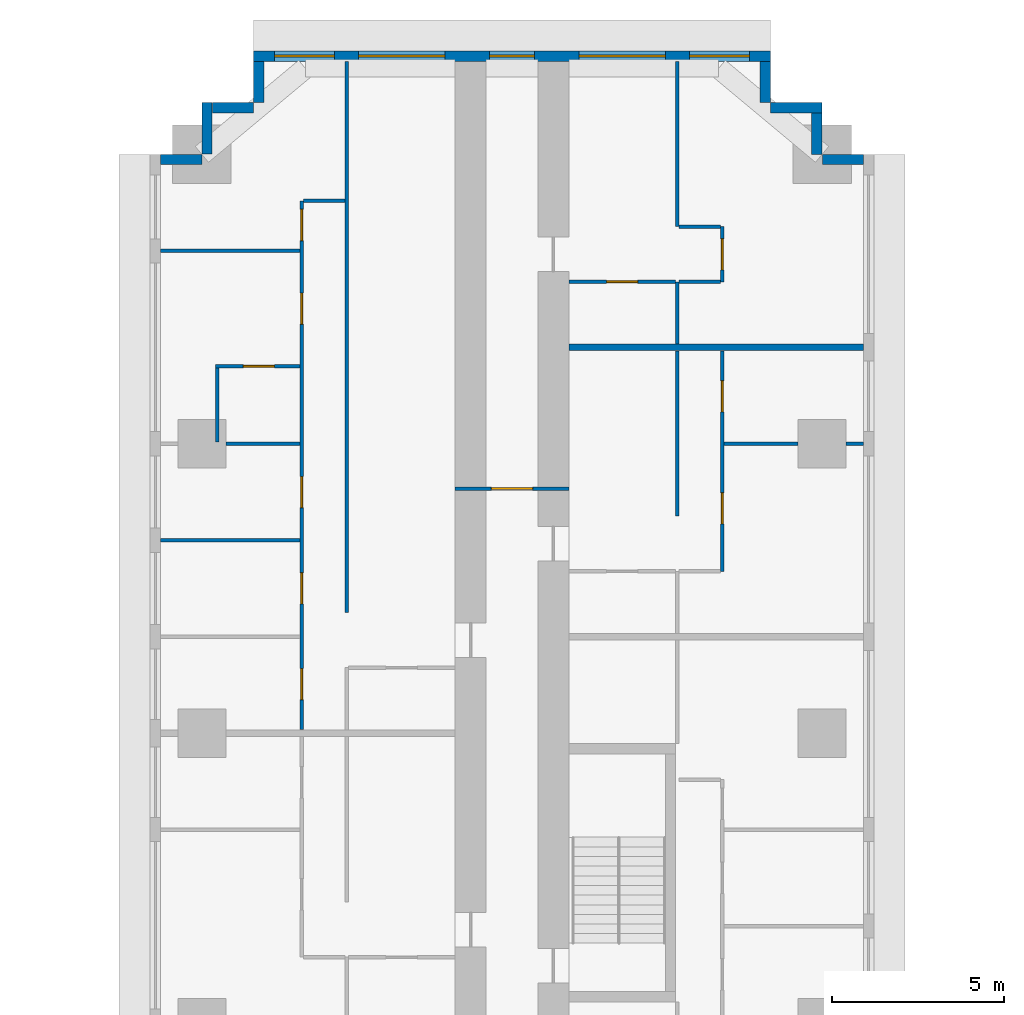
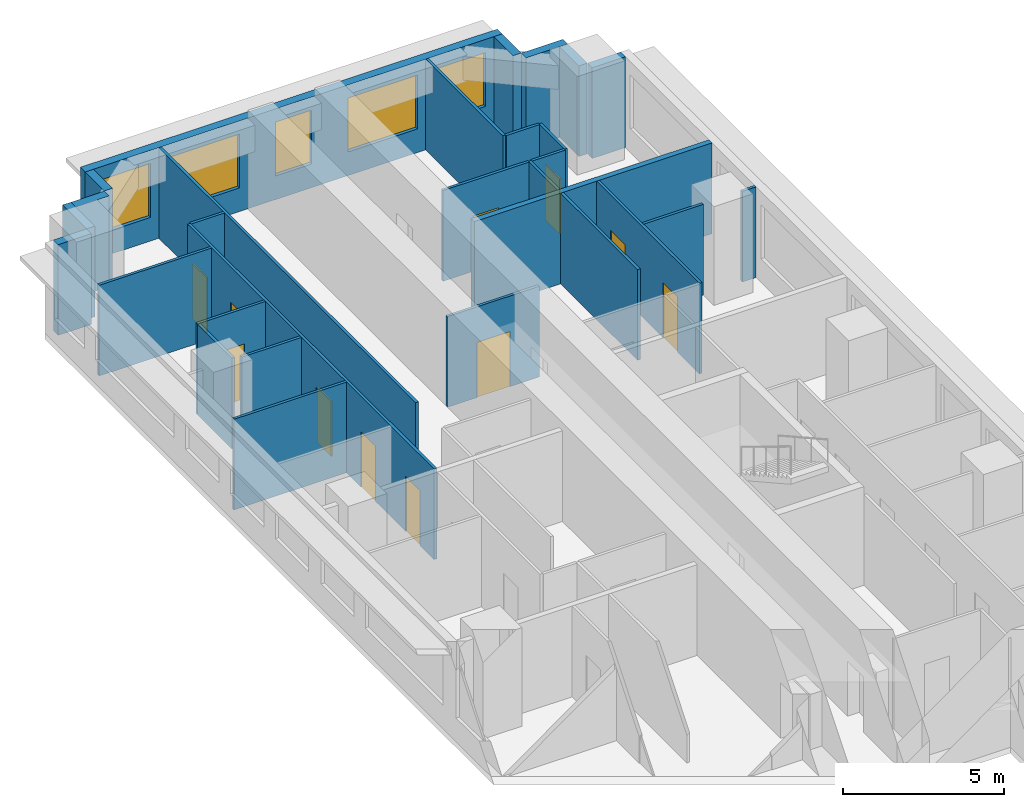
# One storey, part 12 of 14: 29 walls, 11 doors, 5 windows, 16 openings.
"""IFC4 building model written with IfcOpenShell, lengths in metres."""

from ifc_helpers import new_model, si_unit, direction, frame, frame_2d, origin, place, context, subcontext, project, spatial, rectangle, extrude, material, layer, layer_set, type_object, element, fill, save


model = new_model("IFC4")

# Units and contexts
model_context = context("Model", 3, precision=1e-05, world=origin(), true_north=direction((0.0, 1.0)))
body_context = subcontext(model_context, "Body", "Model", "MODEL_VIEW")
ifc_project = project(units=[si_unit("LENGTHUNIT", "METRE"), si_unit("AREAUNIT", "SQUARE_METRE"), si_unit("VOLUMEUNIT", "CUBIC_METRE"), si_unit("PLANEANGLEUNIT", "RADIAN"), si_unit("MASSUNIT", "GRAM", prefix="KILO")], contexts=[model_context])

# Site, building, storey
site_placement = place(None, origin())
site = spatial("IfcSite", under=ifc_project, at=site_placement, CompositionType="ELEMENT")
building_placement = place(site_placement, origin())
building = spatial("IfcBuilding", under=site, at=building_placement, Name="Impinga Residences", CompositionType="ELEMENT")
storey_placement = place(building_placement, frame((0.0, 0.0, 89.75)))
storey = spatial("IfcBuildingStorey", under=building, at=storey_placement, Name="L22", CompositionType="ELEMENT", Elevation=89.75)

# Wall, opening, door
ifc_material_1 = material(Name="Concrete blockwork", Category="masonry")
ifc_layer_1 = layer(ifc_material_1, 0.10009765625)
ifc_layer_set_1 = layer_set([ifc_layer_1], Name="CP1 core room partition, blockwork 100")
wall_type_1 = type_object("IfcWallType", Name="CP1 core room partition, blockwork 100", PredefinedType="PARTITIONING", material=ifc_layer_set_1)
wall_1_placement = place(storey_placement, frame((-1.64990234375, 35.33203125, 0.0), z_axis=(0.0, 0.0, 1.0), x_axis=(1.0, 0.0, 0.0)))
wall_1 = element("IfcWall", 1, at=wall_1_placement, inside=storey, type_object=wall_type_1, Name="Core room partition, blockwork L22:N:SCR", PredefinedType="PARTITIONING", context=body_context, shape_type="SweptSolid", body=[
    extrude(rectangle(XDim=3.2998046875, YDim=0.10009765625, at=frame_2d((1.64990234375, 0.0))), origin(), (0.0, 0.0, 1.0), 3.449951171875),
])
opening_1_placement = place(wall_1_placement, frame((1.050048828125, 0.0, 0.0)))
opening_1 = element("IfcOpeningElement", 2, at=opening_1_placement, cuts=wall_1, Name="Opening D3", PredefinedType="OPENING", context=body_context, shape_type="SweptSolid", body=[
    extrude(rectangle(XDim=1.199951171875, YDim=2.10009765625, at=frame_2d((0.60009765625, 1.050048828125))), frame((0.0, 0.06005859375, 0.0), z_axis=(0.0, -1.0, 0.0), x_axis=(1.0, 0.0, 0.0)), (0.0, 0.0, 1.0), 0.1201171875),
])
ifc_material_2 = material(Name="Timber door set", Category="wood")
door_type_1 = type_object("IfcDoorType", Name="D3 room door, leaf and a half 1200x2100", OperationType="DOUBLE_SWING_LEFT", PredefinedType="DOOR", material=ifc_material_2)
door_1_placement = place(opening_1_placement, origin())
door_1 = element("IfcDoor", 3, at=door_1_placement, inside=storey, type_object=door_type_1, Name="Corridor smoke door N", OperationType="DOUBLE_SWING_LEFT", OverallHeight=2.10009765625, OverallWidth=1.199951171875, PredefinedType="DOOR", context=body_context, shape_type="SweptSolid", body=[
    extrude(rectangle(XDim=1.199951171875, YDim=2.10009765625, at=frame_2d((0.60009765625, 1.050048828125))), frame((0.0, 0.02490234375, 0.0), z_axis=(0.0, -1.0, 0.0), x_axis=(1.0, 0.0, 0.0)), (0.0, 0.0, 1.0), 0.050048828125),
])
fill(opening_1, door_1)

# Walls
ifc_material_3 = material(Name="Terracotta rainscreen on blockwork", Category="masonry")
ifc_layer_2 = layer(ifc_material_3, 0.300048828125)
ifc_layer_set_2 = layer_set([ifc_layer_2], Name="EW1 external wall, terracotta rainscreen on blockwork 300")
wall_type_2 = type_object("IfcWallType", Name="EW1 external wall, terracotta rainscreen on blockwork 300", PredefinedType="SOLIDWALL", material=ifc_layer_set_2)
wall_2_placement = place(storey_placement, frame((-10.199951171875, 44.881591796875, 0.0), z_axis=(0.0, 0.0, 1.0), x_axis=(1.0, 0.0, 0.0)))
element("IfcWall", 4, at=wall_2_placement, inside=storey, type_object=wall_type_2, Name="External wall EW1 L22", PredefinedType="SOLIDWALL", context=body_context, shape_type="SweptSolid", body=[
    extrude(rectangle(XDim=1.199951171875, YDim=0.300048828125, at=frame_2d((0.60009765625, 0.0))), origin(), (0.0, 0.0, 1.0), 3.449951171875),
])
wall_3_placement = place(storey_placement, frame((-8.85009765625, 45.03662109375, 0.0), z_axis=(0.0, 0.0, 1.0), x_axis=(0.0, 1.0, 0.0)))
element("IfcWall", 5, at=wall_3_placement, inside=storey, type_object=wall_type_2, Name="External wall EW1 L22", PredefinedType="SOLIDWALL", context=body_context, shape_type="SweptSolid", body=[
    extrude(rectangle(XDim=1.494873046875, YDim=0.300048828125, at=frame_2d((0.74755859375, 0.0))), origin(), (0.0, 0.0, 1.0), 3.449951171875),
])
wall_4_placement = place(storey_placement, frame((-8.699951171875, 46.381591796875, 0.0), z_axis=(0.0, 0.0, 1.0), x_axis=(1.0, 0.0, 0.0)))
element("IfcWall", 6, at=wall_4_placement, inside=storey, type_object=wall_type_2, Name="External wall EW1 L22", PredefinedType="SOLIDWALL", context=body_context, shape_type="SweptSolid", body=[
    extrude(rectangle(XDim=1.199951171875, YDim=0.300048828125, at=frame_2d((0.60009765625, 0.0))), origin(), (0.0, 0.0, 1.0), 3.449951171875),
])
wall_5_placement = place(storey_placement, frame((-7.35009765625, 46.53662109375, 0.0), z_axis=(0.0, 0.0, 1.0), x_axis=(0.0, 1.0, 0.0)))
element("IfcWall", 7, at=wall_5_placement, inside=storey, type_object=wall_type_2, Name="External wall EW1 L22", PredefinedType="SOLIDWALL", context=body_context, shape_type="SweptSolid", body=[
    extrude(rectangle(XDim=1.19482421875, YDim=0.300048828125, at=frame_2d((0.597412109375, 0.0))), origin(), (0.0, 0.0, 1.0), 3.449951171875),
])

# Wall, openings, windows
wall_6_placement = place(storey_placement, frame((-7.5, 47.881591796875, 0.0), z_axis=(0.0, 0.0, 1.0), x_axis=(1.0, 0.0, 0.0)))
wall_6 = element("IfcWall", 8, at=wall_6_placement, inside=storey, type_object=wall_type_2, Name="External wall EW1 L22", PredefinedType="SOLIDWALL", context=body_context, shape_type="SweptSolid", body=[
    extrude(rectangle(XDim=15.0, YDim=0.300048828125, at=frame_2d((7.5, 0.0))), origin(), (0.0, 0.0, 1.0), 3.449951171875),
])
opening_2_placement = place(wall_6_placement, frame((0.60009765625, 0.0, 0.89990234375)))
opening_2 = element("IfcOpeningElement", 9, at=opening_2_placement, cuts=wall_6, Name="Opening W1", PredefinedType="OPENING", context=body_context, shape_type="SweptSolid", body=[
    extrude(rectangle(XDim=1.75, YDim=2.050048828125, at=frame_2d((0.875, 1.02490234375))), frame((0.0, 0.159912109375, 0.0), z_axis=(0.0, -1.0, 0.0), x_axis=(1.0, 0.0, 0.0)), (0.0, 0.0, 1.0), 0.320068359375),
])
opening_3_placement = place(wall_6_placement, frame((3.050048828125, 0.0, 0.89990234375)))
opening_3 = element("IfcOpeningElement", 10, at=opening_3_placement, cuts=wall_6, Name="Opening W2", PredefinedType="OPENING", context=body_context, shape_type="SweptSolid", body=[
    extrude(rectangle(XDim=2.5, YDim=2.050048828125, at=frame_2d((1.25, 1.02490234375))), frame((0.0, 0.159912109375, 0.0), z_axis=(0.0, -1.0, 0.0), x_axis=(1.0, 0.0, 0.0)), (0.0, 0.0, 1.0), 0.320068359375),
])
opening_4_placement = place(wall_6_placement, frame((6.85009765625, 0.0, 0.89990234375)))
opening_4 = element("IfcOpeningElement", 11, at=opening_4_placement, cuts=wall_6, Name="Opening WE1", PredefinedType="OPENING", context=body_context, shape_type="SweptSolid", body=[
    extrude(rectangle(XDim=1.300048828125, YDim=2.050048828125, at=frame_2d((0.64990234375, 1.02490234375))), frame((0.0, 0.159912109375, 0.0), z_axis=(0.0, -1.0, 0.0), x_axis=(1.0, 0.0, 0.0)), (0.0, 0.0, 1.0), 0.320068359375),
])
opening_5_placement = place(wall_6_placement, frame((9.449951171875, 0.0, 0.89990234375)))
opening_5 = element("IfcOpeningElement", 12, at=opening_5_placement, cuts=wall_6, Name="Opening W2", PredefinedType="OPENING", context=body_context, shape_type="SweptSolid", body=[
    extrude(rectangle(XDim=2.5, YDim=2.050048828125, at=frame_2d((1.25, 1.02490234375))), frame((0.0, 0.159912109375, 0.0), z_axis=(0.0, -1.0, 0.0), x_axis=(1.0, 0.0, 0.0)), (0.0, 0.0, 1.0), 0.320068359375),
])
opening_6_placement = place(wall_6_placement, frame((12.64990234375, 0.0, 0.89990234375)))
opening_6 = element("IfcOpeningElement", 13, at=opening_6_placement, cuts=wall_6, Name="Opening W1", PredefinedType="OPENING", context=body_context, shape_type="SweptSolid", body=[
    extrude(rectangle(XDim=1.75, YDim=2.050048828125, at=frame_2d((0.875, 1.02490234375))), frame((0.0, 0.159912109375, 0.0), z_axis=(0.0, -1.0, 0.0), x_axis=(1.0, 0.0, 0.0)), (0.0, 0.0, 1.0), 0.320068359375),
])
ifc_material_4 = material(Name="Aluminium window, clear double glazing", Category="aluminium")
window_type_1 = type_object("IfcWindowType", Name="W1 ribbon window 1750x2050", PartitioningType="SINGLE_PANEL", PredefinedType="WINDOW", material=ifc_material_4)
window_1_placement = place(opening_2_placement, origin())
window_1 = element("IfcWindow", 14, at=window_1_placement, inside=storey, type_object=window_type_1, Name="Window L22", OverallHeight=2.050048828125, OverallWidth=1.75, PartitioningType="SINGLE_PANEL", PredefinedType="WINDOW", context=body_context, shape_type="SweptSolid", body=[
    extrude(rectangle(XDim=1.75, YDim=2.050048828125, at=frame_2d((0.875, 1.02490234375))), frame((0.0, 0.030029296875, 0.0), z_axis=(0.0, -1.0, 0.0), x_axis=(1.0, 0.0, 0.0)), (0.0, 0.0, 1.0), 0.06005859375),
])
fill(opening_2, window_1)
window_2_placement = place(opening_6_placement, origin())
window_2 = element("IfcWindow", 15, at=window_2_placement, inside=storey, type_object=window_type_1, Name="Window L22", OverallHeight=2.050048828125, OverallWidth=1.75, PartitioningType="SINGLE_PANEL", PredefinedType="WINDOW", context=body_context, shape_type="SweptSolid", body=[
    extrude(rectangle(XDim=1.75, YDim=2.050048828125, at=frame_2d((0.875, 1.02490234375))), frame((0.0, 0.030029296875, 0.0), z_axis=(0.0, -1.0, 0.0), x_axis=(1.0, 0.0, 0.0)), (0.0, 0.0, 1.0), 0.06005859375),
])
fill(opening_6, window_2)
window_type_2 = type_object("IfcWindowType", Name="W2 ribbon window 2500x2050", PartitioningType="SINGLE_PANEL", PredefinedType="WINDOW", material=ifc_material_4)
window_3_placement = place(opening_3_placement, origin())
window_3 = element("IfcWindow", 16, at=window_3_placement, inside=storey, type_object=window_type_2, Name="Window L22", OverallHeight=2.050048828125, OverallWidth=2.5, PartitioningType="SINGLE_PANEL", PredefinedType="WINDOW", context=body_context, shape_type="SweptSolid", body=[
    extrude(rectangle(XDim=2.5, YDim=2.050048828125, at=frame_2d((1.25, 1.02490234375))), frame((0.0, 0.030029296875, 0.0), z_axis=(0.0, -1.0, 0.0), x_axis=(1.0, 0.0, 0.0)), (0.0, 0.0, 1.0), 0.06005859375),
])
fill(opening_3, window_3)
window_4_placement = place(opening_5_placement, origin())
window_4 = element("IfcWindow", 17, at=window_4_placement, inside=storey, type_object=window_type_2, Name="Window L22", OverallHeight=2.050048828125, OverallWidth=2.5, PartitioningType="SINGLE_PANEL", PredefinedType="WINDOW", context=body_context, shape_type="SweptSolid", body=[
    extrude(rectangle(XDim=2.5, YDim=2.050048828125, at=frame_2d((1.25, 1.02490234375))), frame((0.0, 0.030029296875, 0.0), z_axis=(0.0, -1.0, 0.0), x_axis=(1.0, 0.0, 0.0)), (0.0, 0.0, 1.0), 0.06005859375),
])
fill(opening_5, window_4)
window_type_3 = type_object("IfcWindowType", Name="WE1 corridor window 1300x2050", PartitioningType="SINGLE_PANEL", PredefinedType="WINDOW", material=ifc_material_4)
window_5_placement = place(opening_4_placement, origin())
window_5 = element("IfcWindow", 18, at=window_5_placement, inside=storey, type_object=window_type_3, Name="Window L22", OverallHeight=2.050048828125, OverallWidth=1.300048828125, PartitioningType="SINGLE_PANEL", PredefinedType="WINDOW", context=body_context, shape_type="SweptSolid", body=[
    extrude(rectangle(XDim=1.300048828125, YDim=2.050048828125, at=frame_2d((0.64990234375, 1.02490234375))), frame((0.0, 0.030029296875, 0.0), z_axis=(0.0, -1.0, 0.0), x_axis=(1.0, 0.0, 0.0)), (0.0, 0.0, 1.0), 0.06005859375),
])
fill(opening_4, window_5)

# Walls
wall_7_placement = place(storey_placement, frame((7.35009765625, 47.7314453125, 0.0), z_axis=(0.0, 0.0, 1.0), x_axis=(0.0, -1.0, 0.0)))
element("IfcWall", 19, at=wall_7_placement, inside=storey, type_object=wall_type_2, Name="External wall EW1 L22", PredefinedType="SOLIDWALL", context=body_context, shape_type="SweptSolid", body=[
    extrude(rectangle(XDim=1.19482421875, YDim=0.300048828125, at=frame_2d((0.597412109375, 0.0))), origin(), (0.0, 0.0, 1.0), 3.449951171875),
])
wall_8_placement = place(storey_placement, frame((7.5, 46.381591796875, 0.0), z_axis=(0.0, 0.0, 1.0), x_axis=(1.0, 0.0, 0.0)))
element("IfcWall", 20, at=wall_8_placement, inside=storey, type_object=wall_type_2, Name="External wall EW1 L22", PredefinedType="SOLIDWALL", context=body_context, shape_type="SweptSolid", body=[
    extrude(rectangle(XDim=1.5, YDim=0.300048828125, at=frame_2d((0.75, 0.0))), origin(), (0.0, 0.0, 1.0), 3.449951171875),
])
wall_9_placement = place(storey_placement, frame((8.85009765625, 46.2314453125, 0.0), z_axis=(0.0, 0.0, 1.0), x_axis=(0.0, -1.0, 0.0)))
element("IfcWall", 21, at=wall_9_placement, inside=storey, type_object=wall_type_2, Name="External wall EW1 L22", PredefinedType="SOLIDWALL", context=body_context, shape_type="SweptSolid", body=[
    extrude(rectangle(XDim=1.199951171875, YDim=0.300048828125, at=frame_2d((0.60009765625, 0.0))), origin(), (0.0, 0.0, 1.0), 3.449951171875),
])
wall_10_placement = place(storey_placement, frame((9.0048828125, 44.881591796875, 0.0), z_axis=(0.0, 0.0, 1.0), x_axis=(1.0, 0.0, 0.0)))
element("IfcWall", 22, at=wall_10_placement, inside=storey, type_object=wall_type_2, Name="External wall EW1 L22", PredefinedType="SOLIDWALL", context=body_context, shape_type="SweptSolid", body=[
    extrude(rectangle(XDim=1.195068359375, YDim=0.300048828125, at=frame_2d((0.59765625, 0.0))), origin(), (0.0, 0.0, 1.0), 3.449951171875),
])
ifc_material_5 = material(Name="Gypsum board on steel studs", Category="steel")
ifc_layer_3 = layer(ifc_material_5, 0.10009765625)
ifc_layer_set_3 = layer_set([ifc_layer_3], Name="Gypsum board on steel studs")
wall_type_3 = type_object("IfcWallType", Name="IP1 partition 100", PredefinedType="PARTITIONING", material=ifc_layer_set_3)
wall_11_placement = place(storey_placement, frame((-4.800048828125, 31.7314453125, 0.0), z_axis=(0.0, 0.0, 1.0), x_axis=(0.0, 1.0, 0.0)))
element("IfcWall", 23, at=wall_11_placement, inside=storey, type_object=wall_type_3, Name="Partition L22-NA3:DIV1", PredefinedType="PARTITIONING", context=body_context, shape_type="SweptSolid", body=[
    extrude(rectangle(XDim=16.0, YDim=0.10009765625, at=frame_2d((8.0, 0.0))), origin(), (0.0, 0.0, 1.0), 3.449951171875),
])

# Wall, openings, doors
wall_12_placement = place(storey_placement, frame((-6.10009765625, 28.33154296875, 0.0), z_axis=(0.0, 0.0, 1.0), x_axis=(0.0, 1.0, 0.0)))
wall_12 = element("IfcWall", 24, at=wall_12_placement, inside=storey, type_object=wall_type_3, Name="Partition L22-NA3:STRIP", PredefinedType="PARTITIONING", context=body_context, shape_type="SweptSolid", body=[
    extrude(rectangle(XDim=15.35009765625, YDim=0.10009765625, at=frame_2d((7.675048828125, 0.0))), origin(), (0.0, 0.0, 1.0), 3.449951171875),
])
opening_7_placement = place(wall_12_placement, frame((0.875, 0.0, 0.0)))
opening_7 = element("IfcOpeningElement", 25, at=opening_7_placement, cuts=wall_12, Name="Opening D2", PredefinedType="OPENING", context=body_context, shape_type="SweptSolid", body=[
    extrude(rectangle(XDim=0.89990234375, YDim=2.10009765625, at=frame_2d((0.449951171875, 1.050048828125))), frame((0.0, 0.06005859375, 0.0), z_axis=(0.0, -1.0, 0.0), x_axis=(1.0, 0.0, 0.0)), (0.0, 0.0, 1.0), 0.1201171875),
])
opening_8_placement = place(wall_12_placement, frame((3.64990234375, 0.0, 0.0)))
opening_8 = element("IfcOpeningElement", 26, at=opening_8_placement, cuts=wall_12, Name="Opening D2", PredefinedType="OPENING", context=body_context, shape_type="SweptSolid", body=[
    extrude(rectangle(XDim=0.89990234375, YDim=2.10009765625, at=frame_2d((0.449951171875, 1.050048828125))), frame((0.0, 0.06005859375, 0.0), z_axis=(0.0, -1.0, 0.0), x_axis=(1.0, 0.0, 0.0)), (0.0, 0.0, 1.0), 0.1201171875),
])
opening_9_placement = place(wall_12_placement, frame((6.449951171875, 0.0, 0.0)))
opening_9 = element("IfcOpeningElement", 27, at=opening_9_placement, cuts=wall_12, Name="Opening D2", PredefinedType="OPENING", context=body_context, shape_type="SweptSolid", body=[
    extrude(rectangle(XDim=0.89990234375, YDim=2.10009765625, at=frame_2d((0.449951171875, 1.050048828125))), frame((0.0, 0.06005859375, 0.0), z_axis=(0.0, -1.0, 0.0), x_axis=(1.0, 0.0, 0.0)), (0.0, 0.0, 1.0), 0.1201171875),
])
opening_10_placement = place(wall_12_placement, frame((11.77490234375, 0.0, 0.0)))
opening_10 = element("IfcOpeningElement", 28, at=opening_10_placement, cuts=wall_12, Name="Opening D2", PredefinedType="OPENING", context=body_context, shape_type="SweptSolid", body=[
    extrude(rectangle(XDim=0.89990234375, YDim=2.10009765625, at=frame_2d((0.449951171875, 1.050048828125))), frame((0.0, 0.06005859375, 0.0), z_axis=(0.0, -1.0, 0.0), x_axis=(1.0, 0.0, 0.0)), (0.0, 0.0, 1.0), 0.1201171875),
])
opening_11_placement = place(wall_12_placement, frame((14.199951171875, 0.0, 0.0)))
opening_11 = element("IfcOpeningElement", 29, at=opening_11_placement, cuts=wall_12, Name="Opening D2", PredefinedType="OPENING", context=body_context, shape_type="SweptSolid", body=[
    extrude(rectangle(XDim=0.89990234375, YDim=2.10009765625, at=frame_2d((0.449951171875, 1.050048828125))), frame((0.0, 0.06005859375, 0.0), z_axis=(0.0, -1.0, 0.0), x_axis=(1.0, 0.0, 0.0)), (0.0, 0.0, 1.0), 0.1201171875),
])
door_type_2 = type_object("IfcDoorType", Name="D2 internal door 900x2100", OperationType="SINGLE_SWING_LEFT", PredefinedType="DOOR", material=ifc_material_2)
door_2_placement = place(opening_7_placement, origin())
door_2 = element("IfcDoor", 30, at=door_2_placement, inside=storey, type_object=door_type_2, Name="Apartment L22-NA3 room door", OperationType="SINGLE_SWING_LEFT", OverallHeight=2.10009765625, OverallWidth=0.89990234375, PredefinedType="DOOR", context=body_context, shape_type="SweptSolid", body=[
    extrude(rectangle(XDim=0.89990234375, YDim=2.10009765625, at=frame_2d((0.449951171875, 1.050048828125))), frame((0.0, 0.02490234375, 0.0), z_axis=(0.0, -1.0, 0.0), x_axis=(1.0, 0.0, 0.0)), (0.0, 0.0, 1.0), 0.050048828125),
])
fill(opening_7, door_2)
door_3_placement = place(opening_8_placement, origin())
door_3 = element("IfcDoor", 31, at=door_3_placement, inside=storey, type_object=door_type_2, Name="Apartment L22-NA3 room door", OperationType="SINGLE_SWING_LEFT", OverallHeight=2.10009765625, OverallWidth=0.89990234375, PredefinedType="DOOR", context=body_context, shape_type="SweptSolid", body=[
    extrude(rectangle(XDim=0.89990234375, YDim=2.10009765625, at=frame_2d((0.449951171875, 1.050048828125))), frame((0.0, 0.02490234375, 0.0), z_axis=(0.0, -1.0, 0.0), x_axis=(1.0, 0.0, 0.0)), (0.0, 0.0, 1.0), 0.050048828125),
])
fill(opening_8, door_3)
door_4_placement = place(opening_9_placement, origin())
door_4 = element("IfcDoor", 32, at=door_4_placement, inside=storey, type_object=door_type_2, Name="Apartment L22-NA3 room door", OperationType="SINGLE_SWING_LEFT", OverallHeight=2.10009765625, OverallWidth=0.89990234375, PredefinedType="DOOR", context=body_context, shape_type="SweptSolid", body=[
    extrude(rectangle(XDim=0.89990234375, YDim=2.10009765625, at=frame_2d((0.449951171875, 1.050048828125))), frame((0.0, 0.02490234375, 0.0), z_axis=(0.0, -1.0, 0.0), x_axis=(1.0, 0.0, 0.0)), (0.0, 0.0, 1.0), 0.050048828125),
])
fill(opening_9, door_4)
door_5_placement = place(opening_10_placement, origin())
door_5 = element("IfcDoor", 33, at=door_5_placement, inside=storey, type_object=door_type_2, Name="Apartment L22-NA3 room door", OperationType="SINGLE_SWING_RIGHT", OverallHeight=2.10009765625, OverallWidth=0.89990234375, PredefinedType="DOOR", context=body_context, shape_type="SweptSolid", body=[
    extrude(rectangle(XDim=0.89990234375, YDim=2.10009765625, at=frame_2d((0.449951171875, 1.050048828125))), frame((0.0, 0.02490234375, 0.0), z_axis=(0.0, -1.0, 0.0), x_axis=(1.0, 0.0, 0.0)), (0.0, 0.0, 1.0), 0.050048828125),
])
fill(opening_10, door_5)
door_6_placement = place(opening_11_placement, origin())
door_6 = element("IfcDoor", 34, at=door_6_placement, inside=storey, type_object=door_type_2, Name="Apartment L22-NA3 room door", OperationType="SINGLE_SWING_RIGHT", OverallHeight=2.10009765625, OverallWidth=0.89990234375, PredefinedType="DOOR", context=body_context, shape_type="SweptSolid", body=[
    extrude(rectangle(XDim=0.89990234375, YDim=2.10009765625, at=frame_2d((0.449951171875, 1.050048828125))), frame((0.0, 0.02490234375, 0.0), z_axis=(0.0, -1.0, 0.0), x_axis=(1.0, 0.0, 0.0)), (0.0, 0.0, 1.0), 0.050048828125),
])
fill(opening_11, door_6)

# Walls
wall_13_placement = place(storey_placement, frame((-4.85009765625, 43.681640625, 0.0), z_axis=(0.0, 0.0, 1.0), x_axis=(-1.0, 0.0, 0.0)))
element("IfcWall", 35, at=wall_13_placement, inside=storey, type_object=wall_type_3, Name="Partition L22-NA3:SE1", PredefinedType="PARTITIONING", context=body_context, shape_type="SweptSolid", body=[
    extrude(rectangle(XDim=1.199951171875, YDim=0.10009765625, at=frame_2d((0.60009765625, 0.0))), origin(), (0.0, 0.0, 1.0), 3.449951171875),
])
wall_14_placement = place(storey_placement, frame((-6.14990234375, 33.83154296875, 0.0), z_axis=(0.0, 0.0, 1.0), x_axis=(-1.0, 0.0, 0.0)))
element("IfcWall", 36, at=wall_14_placement, inside=storey, type_object=wall_type_3, Name="Partition L22-NA3:OB2", PredefinedType="PARTITIONING", context=body_context, shape_type="SweptSolid", body=[
    extrude(rectangle(XDim=4.050048828125, YDim=0.10009765625, at=frame_2d((2.02490234375, 0.0))), origin(), (0.0, 0.0, 1.0), 3.449951171875),
])
wall_15_placement = place(storey_placement, frame((-6.14990234375, 36.631591796875, 0.0), z_axis=(0.0, 0.0, 1.0), x_axis=(-1.0, 0.0, 0.0)))
element("IfcWall", 37, at=wall_15_placement, inside=storey, type_object=wall_type_3, Name="Partition L22-NA3:OB3", PredefinedType="PARTITIONING", context=body_context, shape_type="SweptSolid", body=[
    extrude(rectangle(XDim=2.150146484375, YDim=0.10009765625, at=frame_2d((1.0751953125, 0.0))), origin(), (0.0, 0.0, 1.0), 3.449951171875),
])
wall_16_placement = place(storey_placement, frame((-6.14990234375, 42.2314453125, 0.0), z_axis=(0.0, 0.0, 1.0), x_axis=(-1.0, 0.0, 0.0)))
element("IfcWall", 38, at=wall_16_placement, inside=storey, type_object=wall_type_3, Name="Partition L22-NA3:OB4", PredefinedType="PARTITIONING", context=body_context, shape_type="SweptSolid", body=[
    extrude(rectangle(XDim=4.050048828125, YDim=0.10009765625, at=frame_2d((2.02490234375, 0.0))), origin(), (0.0, 0.0, 1.0), 3.449951171875),
])

# Wall, opening, door
wall_17_placement = place(storey_placement, frame((-6.14990234375, 38.881591796875, 0.0), z_axis=(0.0, 0.0, 1.0), x_axis=(-1.0, 0.0, 0.0)))
wall_17 = element("IfcWall", 39, at=wall_17_placement, inside=storey, type_object=wall_type_3, Name="Partition L22-NA3:EN1", PredefinedType="PARTITIONING", context=body_context, shape_type="SweptSolid", body=[
    extrude(rectangle(XDim=2.4501953125, YDim=0.10009765625, at=frame_2d((1.22509765625, 0.0))), origin(), (0.0, 0.0, 1.0), 3.449951171875),
])
opening_12_placement = place(wall_17_placement, frame((0.75, 0.0, 0.0)))
opening_12 = element("IfcOpeningElement", 40, at=opening_12_placement, cuts=wall_17, Name="Opening D2", PredefinedType="OPENING", context=body_context, shape_type="SweptSolid", body=[
    extrude(rectangle(XDim=0.89990234375, YDim=2.10009765625, at=frame_2d((0.449951171875, 1.050048828125))), frame((0.0, 0.06005859375, 0.0), z_axis=(0.0, -1.0, 0.0), x_axis=(1.0, 0.0, 0.0)), (0.0, 0.0, 1.0), 0.1201171875),
])
door_7_placement = place(opening_12_placement, origin())
door_7 = element("IfcDoor", 41, at=door_7_placement, inside=storey, type_object=door_type_2, Name="Apartment L22-NA3 en-suite door", OperationType="SINGLE_SWING_LEFT", OverallHeight=2.10009765625, OverallWidth=0.89990234375, PredefinedType="DOOR", context=body_context, shape_type="SweptSolid", body=[
    extrude(rectangle(XDim=0.89990234375, YDim=2.10009765625, at=frame_2d((0.449951171875, 1.050048828125))), frame((0.0, 0.02490234375, 0.0), z_axis=(0.0, -1.0, 0.0), x_axis=(1.0, 0.0, 0.0)), (0.0, 0.0, 1.0), 0.050048828125),
])
fill(opening_12, door_7)

# Walls
wall_18_placement = place(storey_placement, frame((-8.550048828125, 36.681640625, 0.0), z_axis=(0.0, 0.0, 1.0), x_axis=(0.0, 1.0, 0.0)))
element("IfcWall", 42, at=wall_18_placement, inside=storey, type_object=wall_type_3, Name="Partition L22-NA3:EN2", PredefinedType="PARTITIONING", context=body_context, shape_type="SweptSolid", body=[
    extrude(rectangle(XDim=2.14990234375, YDim=0.10009765625, at=frame_2d((1.074951171875, 0.0))), origin(), (0.0, 0.0, 1.0), 3.449951171875),
])
wall_19_placement = place(storey_placement, frame((4.800048828125, 34.531494140625, 0.0), z_axis=(0.0, 0.0, 1.0), x_axis=(0.0, 1.0, 0.0)))
element("IfcWall", 43, at=wall_19_placement, inside=storey, type_object=wall_type_3, Name="Partition L22-NF2:DIV1", PredefinedType="PARTITIONING", context=body_context, shape_type="SweptSolid", body=[
    extrude(rectangle(XDim=4.800048828125, YDim=0.10009765625, at=frame_2d((2.39990234375, 0.0))), origin(), (0.0, 0.0, 1.0), 3.449951171875),
])

# Wall, openings, doors
wall_20_placement = place(storey_placement, frame((6.10009765625, 32.931640625, 0.0), z_axis=(0.0, 0.0, 1.0), x_axis=(0.0, 1.0, 0.0)))
wall_20 = element("IfcWall", 44, at=wall_20_placement, inside=storey, type_object=wall_type_3, Name="Partition L22-NF2:STRIP", PredefinedType="PARTITIONING", context=body_context, shape_type="SweptSolid", body=[
    extrude(rectangle(XDim=6.39990234375, YDim=0.10009765625, at=frame_2d((3.199951171875, 0.0))), origin(), (0.0, 0.0, 1.0), 3.449951171875),
])
opening_13_placement = place(wall_20_placement, frame((1.375, 0.0, 0.0)))
opening_13 = element("IfcOpeningElement", 45, at=opening_13_placement, cuts=wall_20, Name="Opening D2", PredefinedType="OPENING", context=body_context, shape_type="SweptSolid", body=[
    extrude(rectangle(XDim=0.89990234375, YDim=2.10009765625, at=frame_2d((0.449951171875, 1.050048828125))), frame((0.0, 0.06005859375, 0.0), z_axis=(0.0, -1.0, 0.0), x_axis=(1.0, 0.0, 0.0)), (0.0, 0.0, 1.0), 0.1201171875),
])
opening_14_placement = place(wall_20_placement, frame((4.625, 0.0, 0.0)))
opening_14 = element("IfcOpeningElement", 46, at=opening_14_placement, cuts=wall_20, Name="Opening D2", PredefinedType="OPENING", context=body_context, shape_type="SweptSolid", body=[
    extrude(rectangle(XDim=0.89990234375, YDim=2.10009765625, at=frame_2d((0.449951171875, 1.050048828125))), frame((0.0, 0.06005859375, 0.0), z_axis=(0.0, -1.0, 0.0), x_axis=(1.0, 0.0, 0.0)), (0.0, 0.0, 1.0), 0.1201171875),
])
door_8_placement = place(opening_13_placement, origin())
door_8 = element("IfcDoor", 47, at=door_8_placement, inside=storey, type_object=door_type_2, Name="Apartment L22-NF2 room door", OperationType="SINGLE_SWING_LEFT", OverallHeight=2.10009765625, OverallWidth=0.89990234375, PredefinedType="DOOR", context=body_context, shape_type="SweptSolid", body=[
    extrude(rectangle(XDim=0.89990234375, YDim=2.10009765625, at=frame_2d((0.449951171875, 1.050048828125))), frame((0.0, 0.02490234375, 0.0), z_axis=(0.0, -1.0, 0.0), x_axis=(1.0, 0.0, 0.0)), (0.0, 0.0, 1.0), 0.050048828125),
])
fill(opening_13, door_8)
door_9_placement = place(opening_14_placement, origin())
door_9 = element("IfcDoor", 48, at=door_9_placement, inside=storey, type_object=door_type_2, Name="Apartment L22-NF2 room door", OperationType="SINGLE_SWING_RIGHT", OverallHeight=2.10009765625, OverallWidth=0.89990234375, PredefinedType="DOOR", context=body_context, shape_type="SweptSolid", body=[
    extrude(rectangle(XDim=0.89990234375, YDim=2.10009765625, at=frame_2d((0.449951171875, 1.050048828125))), frame((0.0, 0.02490234375, 0.0), z_axis=(0.0, -1.0, 0.0), x_axis=(1.0, 0.0, 0.0)), (0.0, 0.0, 1.0), 0.050048828125),
])
fill(opening_14, door_9)

# Walls
wall_21_placement = place(storey_placement, frame((6.14990234375, 36.631591796875, 0.0), z_axis=(0.0, 0.0, 1.0), x_axis=(1.0, 0.0, 0.0)))
element("IfcWall", 49, at=wall_21_placement, inside=storey, type_object=wall_type_3, Name="Partition L22-NF2:OB1", PredefinedType="PARTITIONING", context=body_context, shape_type="SweptSolid", body=[
    extrude(rectangle(XDim=2.150146484375, YDim=0.10009765625, at=frame_2d((1.0751953125, 0.0))), origin(), (0.0, 0.0, 1.0), 3.449951171875),
])
wall_22_placement = place(storey_placement, frame((9.699951171875, 36.631591796875, 0.0), z_axis=(0.0, 0.0, 1.0), x_axis=(1.0, 0.0, 0.0)))
element("IfcWall", 50, at=wall_22_placement, inside=storey, type_object=wall_type_3, Name="Partition L22-NF2:OB1b", PredefinedType="PARTITIONING", context=body_context, shape_type="SweptSolid", body=[
    extrude(rectangle(XDim=0.5, YDim=0.10009765625, at=frame_2d((0.25, 0.0))), origin(), (0.0, 0.0, 1.0), 3.449951171875),
])
wall_23_placement = place(storey_placement, frame((4.800048828125, 39.531494140625, 0.0), z_axis=(0.0, 0.0, 1.0), x_axis=(0.0, 1.0, 0.0)))
element("IfcWall", 51, at=wall_23_placement, inside=storey, type_object=wall_type_3, Name="Partition L22-NF3:DIV0", PredefinedType="PARTITIONING", context=body_context, shape_type="SweptSolid", body=[
    extrude(rectangle(XDim=1.800048828125, YDim=0.10009765625, at=frame_2d((0.89990234375, 0.0))), origin(), (0.0, 0.0, 1.0), 3.449951171875),
])
wall_24_placement = place(storey_placement, frame((4.800048828125, 42.931640625, 0.0), z_axis=(0.0, 0.0, 1.0), x_axis=(0.0, 1.0, 0.0)))
element("IfcWall", 52, at=wall_24_placement, inside=storey, type_object=wall_type_3, Name="Partition L22-NF3:DIV1", PredefinedType="PARTITIONING", context=body_context, shape_type="SweptSolid", body=[
    extrude(rectangle(XDim=4.7998046875, YDim=0.10009765625, at=frame_2d((2.39990234375, 0.0))), origin(), (0.0, 0.0, 1.0), 3.449951171875),
])

# Wall, opening, door
wall_25_placement = place(storey_placement, frame((6.10009765625, 41.33154296875, 0.0), z_axis=(0.0, 0.0, 1.0), x_axis=(0.0, 1.0, 0.0)))
wall_25 = element("IfcWall", 53, at=wall_25_placement, inside=storey, type_object=wall_type_3, Name="Partition L22-NF3:STRIP", PredefinedType="PARTITIONING", context=body_context, shape_type="SweptSolid", body=[
    extrude(rectangle(XDim=1.60009765625, YDim=0.10009765625, at=frame_2d((0.800048828125, 0.0))), origin(), (0.0, 0.0, 1.0), 3.449951171875),
])
opening_15_placement = place(wall_25_placement, frame((0.35009765625, 0.0, 0.0)))
opening_15 = element("IfcOpeningElement", 54, at=opening_15_placement, cuts=wall_25, Name="Opening D2", PredefinedType="OPENING", context=body_context, shape_type="SweptSolid", body=[
    extrude(rectangle(XDim=0.89990234375, YDim=2.10009765625, at=frame_2d((0.449951171875, 1.050048828125))), frame((0.0, 0.06005859375, 0.0), z_axis=(0.0, -1.0, 0.0), x_axis=(1.0, 0.0, 0.0)), (0.0, 0.0, 1.0), 0.1201171875),
])
door_10_placement = place(opening_15_placement, origin())
door_10 = element("IfcDoor", 55, at=door_10_placement, inside=storey, type_object=door_type_2, Name="Apartment L22-NF3 room door", OperationType="SINGLE_SWING_LEFT", OverallHeight=2.10009765625, OverallWidth=0.89990234375, PredefinedType="DOOR", context=body_context, shape_type="SweptSolid", body=[
    extrude(rectangle(XDim=0.89990234375, YDim=2.10009765625, at=frame_2d((0.449951171875, 1.050048828125))), frame((0.0, 0.02490234375, 0.0), z_axis=(0.0, -1.0, 0.0), x_axis=(1.0, 0.0, 0.0)), (0.0, 0.0, 1.0), 0.050048828125),
])
fill(opening_15, door_10)

# Walls
for number, where, z_axis, x_axis, name in (
    (56, (4.85009765625, 41.33154296875, 0.0), (0.0, 0.0, 1.0), (1.0, 0.0, 0.0), "Partition L22-NF3:SE0"),
    (57, (4.85009765625, 42.931640625, 0.0), (0.0, 0.0, 1.0), (1.0, 0.0, 0.0), "Partition L22-NF3:SE1"),
):
    element("IfcWall", number, at=place(storey_placement, frame(where, z_axis=z_axis, x_axis=x_axis)), inside=storey, type_object=wall_type_3, Name=name, PredefinedType="PARTITIONING", context=body_context, shape_type="SweptSolid", body=[
        extrude(rectangle(XDim=1.199951171875, YDim=0.10009765625, at=frame_2d((0.60009765625, 0.0))), origin(), (0.0, 0.0, 1.0), 3.449951171875),
    ])

# Wall, opening, door
wall_26_placement = place(storey_placement, frame((1.64990234375, 41.33154296875, 0.0), z_axis=(0.0, 0.0, 1.0), x_axis=(1.0, 0.0, 0.0)))
wall_26 = element("IfcWall", 58, at=wall_26_placement, inside=storey, type_object=wall_type_3, Name="Partition L22-NF3:IB1", PredefinedType="PARTITIONING", context=body_context, shape_type="SweptSolid", body=[
    extrude(rectangle(XDim=3.10009765625, YDim=0.10009765625, at=frame_2d((1.550048828125, 0.0))), origin(), (0.0, 0.0, 1.0), 3.449951171875),
])
opening_16_placement = place(wall_26_placement, frame((1.10009765625, 0.0, 0.0)))
opening_16 = element("IfcOpeningElement", 59, at=opening_16_placement, cuts=wall_26, Name="Opening D2", PredefinedType="OPENING", context=body_context, shape_type="SweptSolid", body=[
    extrude(rectangle(XDim=0.89990234375, YDim=2.10009765625, at=frame_2d((0.449951171875, 1.050048828125))), frame((0.0, 0.06005859375, 0.0), z_axis=(0.0, -1.0, 0.0), x_axis=(1.0, 0.0, 0.0)), (0.0, 0.0, 1.0), 0.1201171875),
])
door_11_placement = place(opening_16_placement, origin())
door_11 = element("IfcDoor", 60, at=door_11_placement, inside=storey, type_object=door_type_2, Name="Apartment L22-NF3 bathroom door", OperationType="SINGLE_SWING_LEFT", OverallHeight=2.10009765625, OverallWidth=0.89990234375, PredefinedType="DOOR", context=body_context, shape_type="SweptSolid", body=[
    extrude(rectangle(XDim=0.89990234375, YDim=2.10009765625, at=frame_2d((0.449951171875, 1.050048828125))), frame((0.0, 0.02490234375, 0.0), z_axis=(0.0, -1.0, 0.0), x_axis=(1.0, 0.0, 0.0)), (0.0, 0.0, 1.0), 0.050048828125),
])
fill(opening_16, door_11)

# Wall
ifc_layer_4 = layer(ifc_material_1, 0.199951171875)
ifc_layer_set_4 = layer_set([ifc_layer_4], Name="PW1 party wall between apartments 200")
wall_type_4 = type_object("IfcWallType", Name="PW1 party wall between apartments 200", PredefinedType="SOLIDWALL", material=ifc_layer_set_4)
wall_27_placement = place(storey_placement, frame((1.64990234375, 39.431640625, 0.0), z_axis=(0.0, 0.0, 1.0), x_axis=(1.0, 0.0, 0.0)))
element("IfcWall", 61, at=wall_27_placement, inside=storey, type_object=wall_type_4, Name="Party wall between apartments L22-NF2:PARTY", PredefinedType="SOLIDWALL", context=body_context, shape_type="SweptSolid", body=[
    extrude(rectangle(XDim=8.550048828125, YDim=0.199951171875, at=frame_2d((4.27490234375, 0.0))), origin(), (0.0, 0.0, 1.0), 3.449951171875),
])

save(model, "model.ifc")
